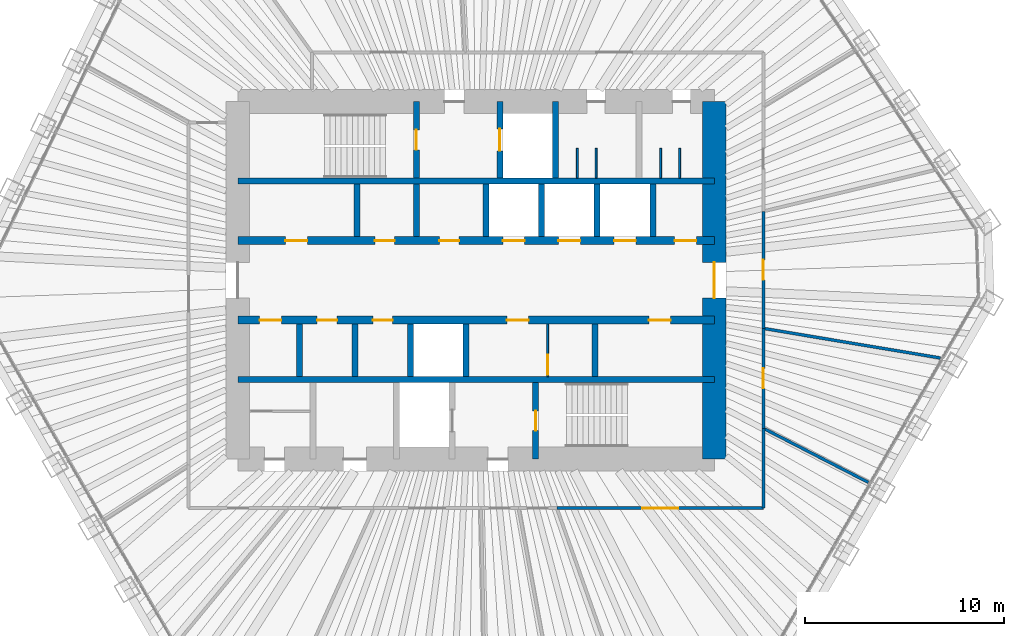
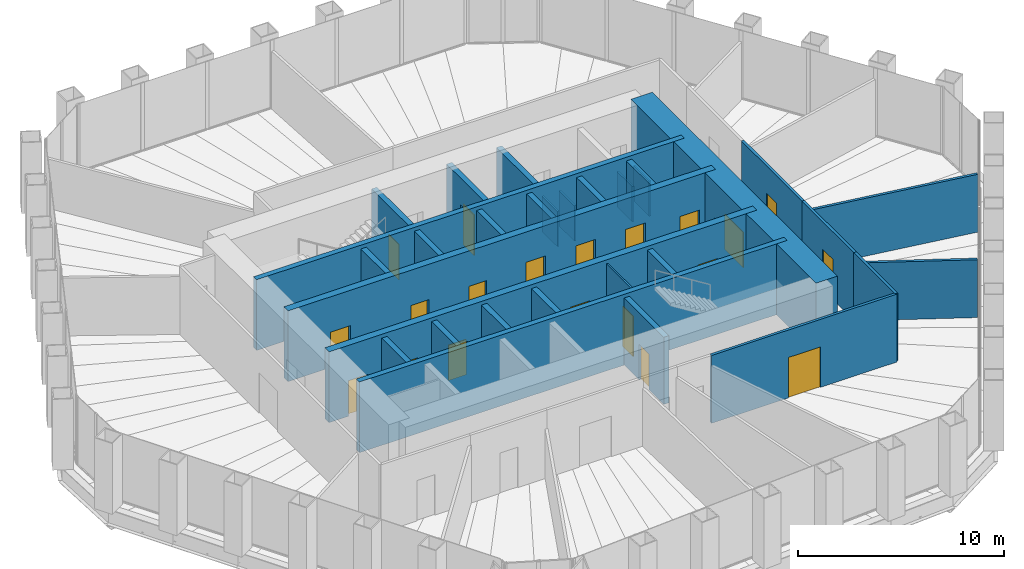
# One storey, part 11 of 13: 31 walls, 20 doors, 20 openings.
"""IFC4 building model written with IfcOpenShell, lengths in metres."""

from ifc_helpers import new_model, si_unit, direction, frame, frame_2d, origin, place, context, subcontext, project, spatial, rectangle, extrude, material, layer, layer_set, type_object, element, fill, save


model = new_model("IFC4")

# Units and contexts
model_context = context("Model", 3, precision=1e-05, world=origin(), true_north=direction((0.0, 1.0)))
body_context = subcontext(model_context, "Body", "Model", "MODEL_VIEW")
ifc_project = project(units=[si_unit("LENGTHUNIT", "METRE"), si_unit("AREAUNIT", "SQUARE_METRE"), si_unit("VOLUMEUNIT", "CUBIC_METRE"), si_unit("PLANEANGLEUNIT", "RADIAN"), si_unit("MASSUNIT", "GRAM", prefix="KILO")], contexts=[model_context])

# Site, building, storey
site_placement = place(None, origin())
site = spatial("IfcSite", under=ifc_project, at=site_placement, CompositionType="ELEMENT")
building_placement = place(site_placement, origin())
building = spatial("IfcBuilding", under=site, at=building_placement, Name="Qingtian Harvest Tower", CompositionType="ELEMENT")
storey_placement = place(building_placement, frame((0.0, 0.0, 222.39990234375)))
storey = spatial("IfcBuildingStorey", under=building, at=storey_placement, Name="L48", CompositionType="ELEMENT", Elevation=222.39990234375)

# Walls
ifc_material_1 = material(Name="Concrete fc' 70 MPa", Category="concrete")
ifc_layer_1 = layer(ifc_material_1, 0.300048828125)
ifc_layer_set_1 = layer_set([ifc_layer_1], Name="Core inner wall RC5 300")
wall_type_1 = type_object("IfcWallType", Name="Core inner wall RC5 300", PredefinedType="SHEAR", material=ifc_layer_set_1)
for number, where, z_axis, x_axis, name in (
    (1, (-12.0, 5.0, 0.0), (0.0, 0.0, 1.0), (1.0, 0.0, 0.0), "Core wall IN5 L48"),
    (2, (-12.0, -5.0, 0.0), (0.0, 0.0, 1.0), (1.0, 0.0, 0.0), "Core wall IS5 L48"),
):
    element("IfcWall", number, at=place(storey_placement, frame(where, z_axis=z_axis, x_axis=x_axis)), inside=storey, type_object=wall_type_1, Name=name, PredefinedType="SHEAR", context=body_context, shape_type="SweptSolid", body=[
        extrude(rectangle(XDim=24.0, YDim=0.300048828125, at=frame_2d((12.0, 0.0))), origin(), (0.0, 0.0, 1.0), 4.2001953125),
    ])

# Wall, openings, doors
ifc_material_2 = material(Name="Concrete fc' 70 MPa", Category="concrete")
ifc_layer_2 = layer(ifc_material_2, 0.39990234375)
ifc_layer_set_2 = layer_set([ifc_layer_2], Name="Core inner web RC6 400")
wall_type_2 = type_object("IfcWallType", Name="Core inner web RC6 400", PredefinedType="SHEAR", material=ifc_layer_set_2)
wall_1_placement = place(storey_placement, frame((-12.0, 2.0, 0.0), z_axis=(0.0, 0.0, 1.0), x_axis=(1.0, 0.0, 0.0)))
wall_1 = element("IfcWall", 3, at=wall_1_placement, inside=storey, type_object=wall_type_2, Name="Core wall IN2 L48", PredefinedType="SHEAR", context=body_context, shape_type="SweptSolid", body=[
    extrude(rectangle(XDim=24.0, YDim=0.39990234375, at=frame_2d((12.0, 0.0))), origin(), (0.0, 0.0, 1.0), 4.2001953125),
])
opening_1_placement = place(wall_1_placement, frame((2.39990234375, 0.0, 0.0)))
opening_1 = element("IfcOpeningElement", 4, at=opening_1_placement, cuts=wall_1, Name="Opening FD4", PredefinedType="OPENING", context=body_context, shape_type="SweptSolid", body=[
    extrude(rectangle(XDim=1.10009765625, YDim=2.10009765625, at=frame_2d((0.550048828125, 1.050048828125))), frame((0.0, 0.2099609375, 0.0), z_axis=(0.0, -1.0, 0.0), x_axis=(1.0, 0.0, 0.0)), (0.0, 0.0, 1.0), 0.419921875),
])
opening_2_placement = place(wall_1_placement, frame((22.0, 0.0, 0.0)))
opening_2 = element("IfcOpeningElement", 5, at=opening_2_placement, cuts=wall_1, Name="Opening FD4", PredefinedType="OPENING", context=body_context, shape_type="SweptSolid", body=[
    extrude(rectangle(XDim=1.10009765625, YDim=2.10009765625, at=frame_2d((0.550048828125, 1.050048828125))), frame((0.0, 0.2099609375, 0.0), z_axis=(0.0, -1.0, 0.0), x_axis=(1.0, 0.0, 0.0)), (0.0, 0.0, 1.0), 0.419921875),
])
opening_3_placement = place(wall_1_placement, frame((10.14990234375, 0.0, 0.0)))
opening_3 = element("IfcOpeningElement", 6, at=opening_3_placement, cuts=wall_1, Name="Opening FD1", PredefinedType="OPENING", context=body_context, shape_type="SweptSolid", body=[
    extrude(rectangle(XDim=1.0, YDim=2.10009765625, at=frame_2d((0.5, 1.050048828125))), frame((0.0, 0.2099609375, 0.0), z_axis=(0.0, -1.0, 0.0), x_axis=(1.0, 0.0, 0.0)), (0.0, 0.0, 1.0), 0.419921875),
])
opening_4_placement = place(wall_1_placement, frame((6.89990234375, 0.0, 0.0)))
opening_4 = element("IfcOpeningElement", 7, at=opening_4_placement, cuts=wall_1, Name="Opening FD1", PredefinedType="OPENING", context=body_context, shape_type="SweptSolid", body=[
    extrude(rectangle(XDim=1.0, YDim=2.10009765625, at=frame_2d((0.5, 1.050048828125))), frame((0.0, 0.2099609375, 0.0), z_axis=(0.0, -1.0, 0.0), x_axis=(1.0, 0.0, 0.0)), (0.0, 0.0, 1.0), 0.419921875),
])
opening_5_placement = place(wall_1_placement, frame((13.35009765625, 0.0, 0.0)))
opening_5 = element("IfcOpeningElement", 8, at=opening_5_placement, cuts=wall_1, Name="Opening LD1", PredefinedType="OPENING", context=body_context, shape_type="SweptSolid", body=[
    extrude(rectangle(XDim=1.10009765625, YDim=2.39990234375, at=frame_2d((0.550048828125, 1.199951171875))), frame((0.0, 0.2099609375, 0.0), z_axis=(0.0, -1.0, 0.0), x_axis=(1.0, 0.0, 0.0)), (0.0, 0.0, 1.0), 0.419921875),
])
opening_6_placement = place(wall_1_placement, frame((16.14990234375, 0.0, 0.0)))
opening_6 = element("IfcOpeningElement", 9, at=opening_6_placement, cuts=wall_1, Name="Opening LD1", PredefinedType="OPENING", context=body_context, shape_type="SweptSolid", body=[
    extrude(rectangle(XDim=1.10009765625, YDim=2.39990234375, at=frame_2d((0.550048828125, 1.199951171875))), frame((0.0, 0.2099609375, 0.0), z_axis=(0.0, -1.0, 0.0), x_axis=(1.0, 0.0, 0.0)), (0.0, 0.0, 1.0), 0.419921875),
])
opening_7_placement = place(wall_1_placement, frame((18.949951171875, 0.0, 0.0)))
opening_7 = element("IfcOpeningElement", 10, at=opening_7_placement, cuts=wall_1, Name="Opening LD1", PredefinedType="OPENING", context=body_context, shape_type="SweptSolid", body=[
    extrude(rectangle(XDim=1.10009765625, YDim=2.39990234375, at=frame_2d((0.550048828125, 1.199951171875))), frame((0.0, 0.2099609375, 0.0), z_axis=(0.0, -1.0, 0.0), x_axis=(1.0, 0.0, 0.0)), (0.0, 0.0, 1.0), 0.419921875),
])
ifc_material_3 = material(Name="Steel-faced door leaf", Category="steel")
door_type_1 = type_object("IfcDoorType", Name="Fire door FD1 single 1 HR", OperationType="SINGLE_SWING_LEFT", PredefinedType="DOOR", material=ifc_material_3)
door_1_placement = place(opening_3_placement, origin())
door_1 = element("IfcDoor", 11, at=door_1_placement, inside=storey, type_object=door_type_1, Name="STA door L48", OperationType="SINGLE_SWING_LEFT", OverallHeight=2.10009765625, OverallWidth=1.0, PredefinedType="DOOR", context=body_context, shape_type="SweptSolid", body=[
    extrude(rectangle(XDim=1.0, YDim=2.10009765625, at=frame_2d((0.5, 1.050048828125))), frame((0.0, 0.02490234375, 0.0), z_axis=(0.0, -1.0, 0.0), x_axis=(1.0, 0.0, 0.0)), (0.0, 0.0, 1.0), 0.050048828125),
])
fill(opening_3, door_1)
door_2_placement = place(opening_4_placement, origin())
door_2 = element("IfcDoor", 12, at=door_2_placement, inside=storey, type_object=door_type_1, Name="IT room door L48", OperationType="SINGLE_SWING_LEFT", OverallHeight=2.10009765625, OverallWidth=1.0, PredefinedType="DOOR", context=body_context, shape_type="SweptSolid", body=[
    extrude(rectangle(XDim=1.0, YDim=2.10009765625, at=frame_2d((0.5, 1.050048828125))), frame((0.0, 0.02490234375, 0.0), z_axis=(0.0, -1.0, 0.0), x_axis=(1.0, 0.0, 0.0)), (0.0, 0.0, 1.0), 0.050048828125),
])
fill(opening_4, door_2)
ifc_material_4 = material(Name="Steel-faced door leaf", Category="steel")
door_type_2 = type_object("IfcDoorType", Name="Fire door FD4 single 2 HR", OperationType="SINGLE_SWING_LEFT", PredefinedType="DOOR", material=ifc_material_4)
door_3_placement = place(opening_1_placement, origin())
door_3 = element("IfcDoor", 13, at=door_3_placement, inside=storey, type_object=door_type_2, Name="RA door L48", OperationType="SINGLE_SWING_LEFT", OverallHeight=2.10009765625, OverallWidth=1.10009765625, PredefinedType="DOOR", context=body_context, shape_type="SweptSolid", body=[
    extrude(rectangle(XDim=1.10009765625, YDim=2.10009765625, at=frame_2d((0.550048828125, 1.050048828125))), frame((0.0, 0.02490234375, 0.0), z_axis=(0.0, -1.0, 0.0), x_axis=(1.0, 0.0, 0.0)), (0.0, 0.0, 1.0), 0.050048828125),
])
fill(opening_1, door_3)
door_4_placement = place(opening_2_placement, origin())
door_4 = element("IfcDoor", 14, at=door_4_placement, inside=storey, type_object=door_type_2, Name="AHU door L48", OperationType="SINGLE_SWING_RIGHT", OverallHeight=2.10009765625, OverallWidth=1.10009765625, PredefinedType="DOOR", context=body_context, shape_type="SweptSolid", body=[
    extrude(rectangle(XDim=1.10009765625, YDim=2.10009765625, at=frame_2d((0.550048828125, 1.050048828125))), frame((0.0, 0.02490234375, 0.0), z_axis=(0.0, -1.0, 0.0), x_axis=(1.0, 0.0, 0.0)), (0.0, 0.0, 1.0), 0.050048828125),
])
fill(opening_2, door_4)
ifc_material_5 = material(Name="Stainless steel lift landing door", Category="steel")
door_type_3 = type_object("IfcDoorType", Name="Lift landing door LD1 1 HR", OperationType="DOUBLE_DOOR_SLIDING", PredefinedType="DOOR", material=ifc_material_5)
door_5_placement = place(opening_5_placement, origin())
door_5 = element("IfcDoor", 15, at=door_5_placement, inside=storey, type_object=door_type_3, Name="PLC1 landing door L48", OperationType="DOUBLE_DOOR_SLIDING", OverallHeight=2.39990234375, OverallWidth=1.10009765625, PredefinedType="DOOR", context=body_context, shape_type="SweptSolid", body=[
    extrude(rectangle(XDim=1.10009765625, YDim=2.39990234375, at=frame_2d((0.550048828125, 1.199951171875))), frame((0.0, 0.02490234375, 0.0), z_axis=(0.0, -1.0, 0.0), x_axis=(1.0, 0.0, 0.0)), (0.0, 0.0, 1.0), 0.050048828125),
])
fill(opening_5, door_5)
door_6_placement = place(opening_6_placement, origin())
door_6 = element("IfcDoor", 16, at=door_6_placement, inside=storey, type_object=door_type_3, Name="PLC2 landing door L48", OperationType="DOUBLE_DOOR_SLIDING", OverallHeight=2.39990234375, OverallWidth=1.10009765625, PredefinedType="DOOR", context=body_context, shape_type="SweptSolid", body=[
    extrude(rectangle(XDim=1.10009765625, YDim=2.39990234375, at=frame_2d((0.550048828125, 1.199951171875))), frame((0.0, 0.02490234375, 0.0), z_axis=(0.0, -1.0, 0.0), x_axis=(1.0, 0.0, 0.0)), (0.0, 0.0, 1.0), 0.050048828125),
])
fill(opening_6, door_6)
door_7_placement = place(opening_7_placement, origin())
door_7 = element("IfcDoor", 17, at=door_7_placement, inside=storey, type_object=door_type_3, Name="PLC3 landing door L48", OperationType="DOUBLE_DOOR_SLIDING", OverallHeight=2.39990234375, OverallWidth=1.10009765625, PredefinedType="DOOR", context=body_context, shape_type="SweptSolid", body=[
    extrude(rectangle(XDim=1.10009765625, YDim=2.39990234375, at=frame_2d((0.550048828125, 1.199951171875))), frame((0.0, 0.02490234375, 0.0), z_axis=(0.0, -1.0, 0.0), x_axis=(1.0, 0.0, 0.0)), (0.0, 0.0, 1.0), 0.050048828125),
])
fill(opening_7, door_7)

wall_2_placement = place(storey_placement, frame((-12.0, -2.0, 0.0), z_axis=(0.0, 0.0, 1.0), x_axis=(1.0, 0.0, 0.0)))
wall_2 = element("IfcWall", 18, at=wall_2_placement, inside=storey, type_object=wall_type_2, Name="Core wall IS2 L48", PredefinedType="SHEAR", context=body_context, shape_type="SweptSolid", body=[
    extrude(rectangle(XDim=24.0, YDim=0.39990234375, at=frame_2d((12.0, 0.0))), origin(), (0.0, 0.0, 1.0), 4.2001953125),
])
opening_8_placement = place(wall_2_placement, frame((1.10009765625, 0.0, 0.0)))
opening_8 = element("IfcOpeningElement", 19, at=opening_8_placement, cuts=wall_2, Name="Opening FD4", PredefinedType="OPENING", context=body_context, shape_type="SweptSolid", body=[
    extrude(rectangle(XDim=1.10009765625, YDim=2.10009765625, at=frame_2d((0.550048828125, 1.050048828125))), frame((0.0, 0.2099609375, 0.0), z_axis=(0.0, -1.0, 0.0), x_axis=(1.0, 0.0, 0.0)), (0.0, 0.0, 1.0), 0.419921875),
])
opening_9_placement = place(wall_2_placement, frame((13.550048828125, 0.0, 0.0)))
opening_9 = element("IfcOpeningElement", 20, at=opening_9_placement, cuts=wall_2, Name="Opening FD4", PredefinedType="OPENING", context=body_context, shape_type="SweptSolid", body=[
    extrude(rectangle(XDim=1.10009765625, YDim=2.10009765625, at=frame_2d((0.550048828125, 1.050048828125))), frame((0.0, 0.2099609375, 0.0), z_axis=(0.0, -1.0, 0.0), x_axis=(1.0, 0.0, 0.0)), (0.0, 0.0, 1.0), 0.419921875),
])
opening_10_placement = place(wall_2_placement, frame((20.699951171875, 0.0, 0.0)))
opening_10 = element("IfcOpeningElement", 21, at=opening_10_placement, cuts=wall_2, Name="Opening FD4", PredefinedType="OPENING", context=body_context, shape_type="SweptSolid", body=[
    extrude(rectangle(XDim=1.10009765625, YDim=2.10009765625, at=frame_2d((0.550048828125, 1.050048828125))), frame((0.0, 0.2099609375, 0.0), z_axis=(0.0, -1.0, 0.0), x_axis=(1.0, 0.0, 0.0)), (0.0, 0.0, 1.0), 0.419921875),
])
opening_11_placement = place(wall_2_placement, frame((4.0, 0.0, 0.0)))
opening_11 = element("IfcOpeningElement", 22, at=opening_11_placement, cuts=wall_2, Name="Opening FD1", PredefinedType="OPENING", context=body_context, shape_type="SweptSolid", body=[
    extrude(rectangle(XDim=1.0, YDim=2.10009765625, at=frame_2d((0.5, 1.050048828125))), frame((0.0, 0.2099609375, 0.0), z_axis=(0.0, -1.0, 0.0), x_axis=(1.0, 0.0, 0.0)), (0.0, 0.0, 1.0), 0.419921875),
])
opening_12_placement = place(wall_2_placement, frame((6.800048828125, 0.0, 0.0)))
opening_12 = element("IfcOpeningElement", 23, at=opening_12_placement, cuts=wall_2, Name="Opening FD1", PredefinedType="OPENING", context=body_context, shape_type="SweptSolid", body=[
    extrude(rectangle(XDim=1.0, YDim=2.10009765625, at=frame_2d((0.5, 1.050048828125))), frame((0.0, 0.2099609375, 0.0), z_axis=(0.0, -1.0, 0.0), x_axis=(1.0, 0.0, 0.0)), (0.0, 0.0, 1.0), 0.419921875),
])
door_8_placement = place(opening_11_placement, origin())
door_8 = element("IfcDoor", 24, at=door_8_placement, inside=storey, type_object=door_type_1, Name="Staff WC door L48", OperationType="SINGLE_SWING_RIGHT", OverallHeight=2.10009765625, OverallWidth=1.0, PredefinedType="DOOR", context=body_context, shape_type="SweptSolid", body=[
    extrude(rectangle(XDim=1.0, YDim=2.10009765625, at=frame_2d((0.5, 1.050048828125))), frame((0.0, 0.02490234375, 0.0), z_axis=(0.0, -1.0, 0.0), x_axis=(1.0, 0.0, 0.0)), (0.0, 0.0, 1.0), 0.050048828125),
])
fill(opening_11, door_8)
door_9_placement = place(opening_12_placement, origin())
door_9 = element("IfcDoor", 25, at=door_9_placement, inside=storey, type_object=door_type_1, Name="Tea point door L48", OperationType="SINGLE_SWING_RIGHT", OverallHeight=2.10009765625, OverallWidth=1.0, PredefinedType="DOOR", context=body_context, shape_type="SweptSolid", body=[
    extrude(rectangle(XDim=1.0, YDim=2.10009765625, at=frame_2d((0.5, 1.050048828125))), frame((0.0, 0.02490234375, 0.0), z_axis=(0.0, -1.0, 0.0), x_axis=(1.0, 0.0, 0.0)), (0.0, 0.0, 1.0), 0.050048828125),
])
fill(opening_12, door_9)
door_10_placement = place(opening_8_placement, origin())
door_10 = element("IfcDoor", 26, at=door_10_placement, inside=storey, type_object=door_type_2, Name="RB door L48", OperationType="SINGLE_SWING_RIGHT", OverallHeight=2.10009765625, OverallWidth=1.10009765625, PredefinedType="DOOR", context=body_context, shape_type="SweptSolid", body=[
    extrude(rectangle(XDim=1.10009765625, YDim=2.10009765625, at=frame_2d((0.550048828125, 1.050048828125))), frame((0.0, 0.02490234375, 0.0), z_axis=(0.0, -1.0, 0.0), x_axis=(1.0, 0.0, 0.0)), (0.0, 0.0, 1.0), 0.050048828125),
])
fill(opening_8, door_10)
door_11_placement = place(opening_9_placement, origin())
door_11 = element("IfcDoor", 27, at=door_11_placement, inside=storey, type_object=door_type_2, Name="ELEC door L48", OperationType="SINGLE_SWING_LEFT", OverallHeight=2.10009765625, OverallWidth=1.10009765625, PredefinedType="DOOR", context=body_context, shape_type="SweptSolid", body=[
    extrude(rectangle(XDim=1.10009765625, YDim=2.10009765625, at=frame_2d((0.550048828125, 1.050048828125))), frame((0.0, 0.02490234375, 0.0), z_axis=(0.0, -1.0, 0.0), x_axis=(1.0, 0.0, 0.0)), (0.0, 0.0, 1.0), 0.050048828125),
])
fill(opening_9, door_11)
door_12_placement = place(opening_10_placement, origin())
door_12 = element("IfcDoor", 28, at=door_12_placement, inside=storey, type_object=door_type_2, Name="DUCT door L48", OperationType="SINGLE_SWING_LEFT", OverallHeight=2.10009765625, OverallWidth=1.10009765625, PredefinedType="DOOR", context=body_context, shape_type="SweptSolid", body=[
    extrude(rectangle(XDim=1.10009765625, YDim=2.10009765625, at=frame_2d((0.550048828125, 1.050048828125))), frame((0.0, 0.02490234375, 0.0), z_axis=(0.0, -1.0, 0.0), x_axis=(1.0, 0.0, 0.0)), (0.0, 0.0, 1.0), 0.050048828125),
])
fill(opening_10, door_12)

# Wall, opening, door
ifc_material_6 = material(Name="Precast concrete shaft panel", Category="concrete")
ifc_layer_3 = layer(ifc_material_6, 0.300048828125)
ifc_layer_set_3 = layer_set([ifc_layer_3], Name="Core shaft partition SW1 300")
wall_type_3 = type_object("IfcWallType", Name="Core shaft partition SW1 300", PredefinedType="PARTITIONING", material=ifc_layer_set_3)
wall_3_placement = place(storey_placement, frame((-3.0, 5.14990234375, 0.0), z_axis=(0.0, 0.0, 1.0), x_axis=(0.0, 1.0, 0.0)))
wall_3 = element("IfcWall", 29, at=wall_3_placement, inside=storey, type_object=wall_type_3, Name="Core shaft partition XN1 L48", PredefinedType="PARTITIONING", context=body_context, shape_type="SweptSolid", body=[
    extrude(rectangle(XDim=3.85009765625, YDim=0.300048828125, at=frame_2d((1.925048828125, 0.0))), origin(), (0.0, 0.0, 1.0), 3.97998046875),
])
opening_13_placement = place(wall_3_placement, frame((1.425048828125, 0.0, 0.0)))
opening_13 = element("IfcOpeningElement", 30, at=opening_13_placement, cuts=wall_3, Name="Opening FD1", PredefinedType="OPENING", context=body_context, shape_type="SweptSolid", body=[
    extrude(rectangle(XDim=1.0, YDim=2.10009765625, at=frame_2d((0.5, 1.050048828125))), frame((0.0, 0.159912109375, 0.0), z_axis=(0.0, -1.0, 0.0), x_axis=(1.0, 0.0, 0.0)), (0.0, 0.0, 1.0), 0.320068359375),
])
door_13_placement = place(opening_13_placement, origin())
door_13 = element("IfcDoor", 31, at=door_13_placement, inside=storey, type_object=door_type_1, Name="S1 door L48", OperationType="SINGLE_SWING_RIGHT", OverallHeight=2.10009765625, OverallWidth=1.0, PredefinedType="DOOR", context=body_context, shape_type="SweptSolid", body=[
    extrude(rectangle(XDim=1.0, YDim=2.10009765625, at=frame_2d((0.5, 1.050048828125))), frame((0.0, 0.02490234375, 0.0), z_axis=(0.0, -1.0, 0.0), x_axis=(1.0, 0.0, 0.0)), (0.0, 0.0, 1.0), 0.050048828125),
])
fill(opening_13, door_13)

wall_4_placement = place(storey_placement, frame((1.199951171875, 5.14990234375, 0.0), z_axis=(0.0, 0.0, 1.0), x_axis=(0.0, 1.0, 0.0)))
wall_4 = element("IfcWall", 32, at=wall_4_placement, inside=storey, type_object=wall_type_3, Name="Core shaft partition XN2 L48", PredefinedType="PARTITIONING", context=body_context, shape_type="SweptSolid", body=[
    extrude(rectangle(XDim=3.85009765625, YDim=0.300048828125, at=frame_2d((1.925048828125, 0.0))), origin(), (0.0, 0.0, 1.0), 3.97998046875),
])
opening_14_placement = place(wall_4_placement, frame((1.375, 0.0, 0.0)))
opening_14 = element("IfcOpeningElement", 33, at=opening_14_placement, cuts=wall_4, Name="Opening LD1", PredefinedType="OPENING", context=body_context, shape_type="SweptSolid", body=[
    extrude(rectangle(XDim=1.10009765625, YDim=2.39990234375, at=frame_2d((0.550048828125, 1.199951171875))), frame((0.0, 0.159912109375, 0.0), z_axis=(0.0, -1.0, 0.0), x_axis=(1.0, 0.0, 0.0)), (0.0, 0.0, 1.0), 0.320068359375),
])
door_14_placement = place(opening_14_placement, origin())
door_14 = element("IfcDoor", 34, at=door_14_placement, inside=storey, type_object=door_type_3, Name="FL1 landing door L48", OperationType="DOUBLE_DOOR_SLIDING", OverallHeight=2.39990234375, OverallWidth=1.10009765625, PredefinedType="DOOR", context=body_context, shape_type="SweptSolid", body=[
    extrude(rectangle(XDim=1.10009765625, YDim=2.39990234375, at=frame_2d((0.550048828125, 1.199951171875))), frame((0.0, 0.02490234375, 0.0), z_axis=(0.0, -1.0, 0.0), x_axis=(1.0, 0.0, 0.0)), (0.0, 0.0, 1.0), 0.050048828125),
])
fill(opening_14, door_14)

# Walls
wall_5_placement = place(storey_placement, frame((4.0, 5.14990234375, 0.0), z_axis=(0.0, 0.0, 1.0), x_axis=(0.0, 1.0, 0.0)))
element("IfcWall", 35, at=wall_5_placement, inside=storey, type_object=wall_type_3, Name="Core shaft partition XN3 L48", PredefinedType="PARTITIONING", context=body_context, shape_type="SweptSolid", body=[
    extrude(rectangle(XDim=3.85009765625, YDim=0.300048828125, at=frame_2d((1.925048828125, 0.0))), origin(), (0.0, 0.0, 1.0), 3.97998046875),
])
for number, where, z_axis, x_axis, name in (
    (36, (-6.0, 2.199951171875, 0.0), (0.0, 0.0, 1.0), (0.0, 1.0, 0.0), "Core shaft partition XA1 L48"),
    (37, (-3.0, 2.199951171875, 0.0), (0.0, 0.0, 1.0), (0.0, 1.0, 0.0), "Core shaft partition XA2 L48"),
    (38, (0.5, 2.199951171875, 0.0), (0.0, 0.0, 1.0), (0.0, 1.0, 0.0), "Core shaft partition XA3 L48"),
    (39, (3.300048828125, 2.199951171875, 0.0), (0.0, 0.0, 1.0), (0.0, 1.0, 0.0), "Core shaft partition XA4 L48"),
    (40, (6.10009765625, 2.199951171875, 0.0), (0.0, 0.0, 1.0), (0.0, 1.0, 0.0), "Core shaft partition XA5 L48"),
    (41, (8.89990234375, 2.199951171875, 0.0), (0.0, 0.0, 1.0), (0.0, 1.0, 0.0), "Core shaft partition XA6 L48"),
    (42, (-8.89990234375, -4.85009765625, 0.0), (0.0, 0.0, 1.0), (0.0, 1.0, 0.0), "Core shaft partition XB1 L48"),
    (43, (-6.10009765625, -4.85009765625, 0.0), (0.0, 0.0, 1.0), (0.0, 1.0, 0.0), "Core shaft partition XB2 L48"),
    (44, (-3.300048828125, -4.85009765625, 0.0), (0.0, 0.0, 1.0), (0.0, 1.0, 0.0), "Core shaft partition XB3 L48"),
    (45, (-0.5, -4.85009765625, 0.0), (0.0, 0.0, 1.0), (0.0, 1.0, 0.0), "Core shaft partition XB4 L48"),
    (46, (6.0, -4.85009765625, 0.0), (0.0, 0.0, 1.0), (0.0, 1.0, 0.0), "Core shaft partition XB5 L48"),
):
    element("IfcWall", number, at=place(storey_placement, frame(where, z_axis=z_axis, x_axis=x_axis)), inside=storey, type_object=wall_type_3, Name=name, PredefinedType="PARTITIONING", context=body_context, shape_type="SweptSolid", body=[
        extrude(rectangle(XDim=2.650146484375, YDim=0.300048828125, at=frame_2d((1.3251953125, 0.0))), origin(), (0.0, 0.0, 1.0), 3.97998046875),
    ])

# Wall, opening, door
wall_6_placement = place(storey_placement, frame((3.0, -9.0, 0.0), z_axis=(0.0, 0.0, 1.0), x_axis=(0.0, 1.0, 0.0)))
wall_6 = element("IfcWall", 47, at=wall_6_placement, inside=storey, type_object=wall_type_3, Name="Core shaft partition XS4 L48", PredefinedType="PARTITIONING", context=body_context, shape_type="SweptSolid", body=[
    extrude(rectangle(XDim=3.85009765625, YDim=0.300048828125, at=frame_2d((1.925048828125, 0.0))), origin(), (0.0, 0.0, 1.0), 3.97998046875),
])
opening_15_placement = place(wall_6_placement, frame((1.425048828125, 0.0, 0.0)))
opening_15 = element("IfcOpeningElement", 48, at=opening_15_placement, cuts=wall_6, Name="Opening FD1", PredefinedType="OPENING", context=body_context, shape_type="SweptSolid", body=[
    extrude(rectangle(XDim=1.0, YDim=2.10009765625, at=frame_2d((0.5, 1.050048828125))), frame((0.0, 0.159912109375, 0.0), z_axis=(0.0, -1.0, 0.0), x_axis=(1.0, 0.0, 0.0)), (0.0, 0.0, 1.0), 0.320068359375),
])
door_15_placement = place(opening_15_placement, origin())
door_15 = element("IfcDoor", 49, at=door_15_placement, inside=storey, type_object=door_type_1, Name="S2 door L48", OperationType="SINGLE_SWING_RIGHT", OverallHeight=2.10009765625, OverallWidth=1.0, PredefinedType="DOOR", context=body_context, shape_type="SweptSolid", body=[
    extrude(rectangle(XDim=1.0, YDim=2.10009765625, at=frame_2d((0.5, 1.050048828125))), frame((0.0, 0.02490234375, 0.0), z_axis=(0.0, -1.0, 0.0), x_axis=(1.0, 0.0, 0.0)), (0.0, 0.0, 1.0), 0.050048828125),
])
fill(opening_15, door_15)

ifc_material_7 = material(Name="Concrete fc' 70 MPa", Category="concrete")
ifc_layer_4 = layer(ifc_material_7, 1.199951171875)
ifc_layer_set_4 = layer_set([ifc_layer_4], Name="Core wall RC2 1200")
wall_type_4 = type_object("IfcWallType", Name="Core wall RC2 1200", PredefinedType="SHEAR", material=ifc_layer_set_4)
wall_7_placement = place(storey_placement, frame((12.0, -9.0, 0.0), z_axis=(0.0, 0.0, 1.0), x_axis=(0.0, 1.0, 0.0)))
wall_7 = element("IfcWall", 50, at=wall_7_placement, inside=storey, type_object=wall_type_4, Name="Core wall CE L48", PredefinedType="SHEAR", context=body_context, shape_type="SweptSolid", body=[
    extrude(rectangle(XDim=18.0, YDim=1.199951171875, at=frame_2d((9.0, 0.0))), origin(), (0.0, 0.0, 1.0), 4.2001953125),
])
opening_16_placement = place(wall_7_placement, frame((8.10009765625, 0.0, 0.0)))
opening_16 = element("IfcOpeningElement", 51, at=opening_16_placement, cuts=wall_7, Name="Opening FD2", PredefinedType="OPENING", context=body_context, shape_type="SweptSolid", body=[
    extrude(rectangle(XDim=1.800048828125, YDim=2.10009765625, at=frame_2d((0.89990234375, 1.050048828125))), frame((0.0, 0.60986328125, 0.0), z_axis=(0.0, -1.0, 0.0), x_axis=(1.0, 0.0, 0.0)), (0.0, 0.0, 1.0), 1.219970703125),
])
ifc_material_8 = material(Name="Steel-faced door leaf", Category="steel")
door_type_4 = type_object("IfcDoorType", Name="Fire door FD2 double 1 HR", OperationType="DOUBLE_DOOR_DOUBLE_SWING", PredefinedType="DOOR", material=ifc_material_8)
door_16_placement = place(opening_16_placement, origin())
door_16 = element("IfcDoor", 52, at=door_16_placement, inside=storey, type_object=door_type_4, Name="LOBBY-E door L48", OperationType="DOUBLE_DOOR_DOUBLE_SWING", OverallHeight=2.10009765625, OverallWidth=1.800048828125, PredefinedType="DOOR", context=body_context, shape_type="SweptSolid", body=[
    extrude(rectangle(XDim=1.800048828125, YDim=2.10009765625, at=frame_2d((0.89990234375, 1.050048828125))), frame((0.0, 0.02490234375, 0.0), z_axis=(0.0, -1.0, 0.0), x_axis=(1.0, 0.0, 0.0)), (0.0, 0.0, 1.0), 0.050048828125),
])
fill(opening_16, door_16)

ifc_material_9 = material(Name="Gypsum board on steel studs", Category="steel")
ifc_layer_5 = layer(ifc_material_9, 0.14990234375)
ifc_layer_set_5 = layer_set([ifc_layer_5], Name="Partition PT1 150")
wall_type_5 = type_object("IfcWallType", Name="Partition PT1 150", PredefinedType="PARTITIONING", material=ifc_layer_set_5)
wall_8_placement = place(storey_placement, frame((14.47509765625, 3.474609375, 0.0), z_axis=(0.0, 0.0, 1.0), x_axis=(0.0, -1.0, 0.0)))
wall_8 = element("IfcWall", 53, at=wall_8_placement, inside=storey, type_object=wall_type_5, Name="Private office wall L48", PredefinedType="PARTITIONING", context=body_context, shape_type="SweptSolid", body=[
    extrude(rectangle(XDim=5.896484375, YDim=0.14990234375, at=frame_2d((2.9482421875, 0.0))), origin(), (0.0, 0.0, 1.0), 4.030029296875),
])
opening_17_placement = place(wall_8_placement, frame((2.4482421875, 0.0, 0.0)))
opening_17 = element("IfcOpeningElement", 54, at=opening_17_placement, cuts=wall_8, Name="Opening D2", PredefinedType="OPENING", context=body_context, shape_type="SweptSolid", body=[
    extrude(rectangle(XDim=1.0, YDim=2.39990234375, at=frame_2d((0.5, 1.199951171875))), frame((0.0, 0.0849609375, 0.0), z_axis=(0.0, -1.0, 0.0), x_axis=(1.0, 0.0, 0.0)), (0.0, 0.0, 1.0), 0.169921875),
])
ifc_material_10 = material(Name="Laminated timber door leaf", Category="wood")
door_type_5 = type_object("IfcDoorType", Name="Room door D2 single", OperationType="SINGLE_SWING_LEFT", PredefinedType="DOOR", material=ifc_material_10)
door_17_placement = place(opening_17_placement, origin())
door_17 = element("IfcDoor", 55, at=door_17_placement, inside=storey, type_object=door_type_5, Name="Private office door L48", OperationType="SINGLE_SWING_LEFT", OverallHeight=2.39990234375, OverallWidth=1.0, PredefinedType="DOOR", context=body_context, shape_type="SweptSolid", body=[
    extrude(rectangle(XDim=1.0, YDim=2.39990234375, at=frame_2d((0.5, 1.199951171875))), frame((0.0, 0.02490234375, 0.0), z_axis=(0.0, -1.0, 0.0), x_axis=(1.0, 0.0, 0.0)), (0.0, 0.0, 1.0), 0.050048828125),
])
fill(opening_17, door_17)

# Wall
wall_9_placement = place(storey_placement, frame((23.383056640625, -3.912109375, 0.0), z_axis=(0.0, 0.0, 1.0), x_axis=(-0.986293651891, 0.164999491631, 0.0)))
element("IfcWall", 56, at=wall_9_placement, inside=storey, type_object=wall_type_5, Name="Private office wall L48", PredefinedType="PARTITIONING", context=body_context, shape_type="SweptSolid", body=[
    extrude(rectangle(XDim=9.03173828125, YDim=0.14990234375, at=frame_2d((4.515869140625, 0.0))), origin(), (0.0, 0.0, 1.0), 3.43017578125),
])

# Wall, opening, door
wall_10_placement = place(storey_placement, frame((14.47509765625, -2.421875, 0.0), z_axis=(0.0, 0.0, 1.0), x_axis=(0.0, -1.0, 0.0)))
wall_10 = element("IfcWall", 57, at=wall_10_placement, inside=storey, type_object=wall_type_5, Name="Private office wall L48", PredefinedType="PARTITIONING", context=body_context, shape_type="SweptSolid", body=[
    extrude(rectangle(XDim=5.033203125, YDim=0.14990234375, at=frame_2d((2.5166015625, 0.0))), origin(), (0.0, 0.0, 1.0), 4.030029296875),
])
opening_18_placement = place(wall_10_placement, frame((2.0166015625, 0.0, 0.0)))
opening_18 = element("IfcOpeningElement", 58, at=opening_18_placement, cuts=wall_10, Name="Opening D2", PredefinedType="OPENING", context=body_context, shape_type="SweptSolid", body=[
    extrude(rectangle(XDim=1.0, YDim=2.39990234375, at=frame_2d((0.5, 1.199951171875))), frame((0.0, 0.0849609375, 0.0), z_axis=(0.0, -1.0, 0.0), x_axis=(1.0, 0.0, 0.0)), (0.0, 0.0, 1.0), 0.169921875),
])
door_18_placement = place(opening_18_placement, origin())
door_18 = element("IfcDoor", 59, at=door_18_placement, inside=storey, type_object=door_type_5, Name="Private office door L48", OperationType="SINGLE_SWING_LEFT", OverallHeight=2.39990234375, OverallWidth=1.0, PredefinedType="DOOR", context=body_context, shape_type="SweptSolid", body=[
    extrude(rectangle(XDim=1.0, YDim=2.39990234375, at=frame_2d((0.5, 1.199951171875))), frame((0.0, 0.02490234375, 0.0), z_axis=(0.0, -1.0, 0.0), x_axis=(1.0, 0.0, 0.0)), (0.0, 0.0, 1.0), 0.050048828125),
])
fill(opening_18, door_18)

# Walls
wall_11_placement = place(storey_placement, frame((19.759033203125, -10.176513671875, 0.0), z_axis=(0.0, 0.0, 1.0), x_axis=(-0.889015092721, 0.457877893017, 0.0)))
element("IfcWall", 60, at=wall_11_placement, inside=storey, type_object=wall_type_5, Name="Office suite wall L48", PredefinedType="PARTITIONING", context=body_context, shape_type="SweptSolid", body=[
    extrude(rectangle(XDim=5.943603515625, YDim=0.14990234375, at=frame_2d((2.9716796875, 0.0))), origin(), (0.0, 0.0, 1.0), 3.43017578125),
])
wall_12_placement = place(storey_placement, frame((14.47509765625, -7.455078125, 0.0), z_axis=(0.0, 0.0, 1.0), x_axis=(0.0, -1.0, 0.0)))
element("IfcWall", 61, at=wall_12_placement, inside=storey, type_object=wall_type_5, Name="Office suite wall L48", PredefinedType="PARTITIONING", context=body_context, shape_type="SweptSolid", body=[
    extrude(rectangle(XDim=4.02001953125, YDim=0.14990234375, at=frame_2d((2.010009765625, 0.0))), origin(), (0.0, 0.0, 1.0), 4.030029296875),
])

# Wall, opening, door
wall_13_placement = place(storey_placement, frame((14.47509765625, -11.47509765625, 0.0), z_axis=(0.0, 0.0, 1.0), x_axis=(-1.0, 0.0, 0.0)))
wall_13 = element("IfcWall", 62, at=wall_13_placement, inside=storey, type_object=wall_type_5, Name="Office suite wall L48", PredefinedType="PARTITIONING", context=body_context, shape_type="SweptSolid", body=[
    extrude(rectangle(XDim=10.405517578125, YDim=0.14990234375, at=frame_2d((5.20263671875, 0.0))), origin(), (0.0, 0.0, 1.0), 4.030029296875),
])
opening_19_placement = place(wall_13_placement, frame((4.302734375, 0.0, 0.0)))
opening_19 = element("IfcOpeningElement", 63, at=opening_19_placement, cuts=wall_13, Name="Opening D3", PredefinedType="OPENING", context=body_context, shape_type="SweptSolid", body=[
    extrude(rectangle(XDim=1.800048828125, YDim=2.39990234375, at=frame_2d((0.89990234375, 1.199951171875))), frame((0.0, 0.0849609375, 0.0), z_axis=(0.0, -1.0, 0.0), x_axis=(1.0, 0.0, 0.0)), (0.0, 0.0, 1.0), 0.169921875),
])
ifc_material_11 = material(Name="Laminated timber door leaf", Category="wood")
door_type_6 = type_object("IfcDoorType", Name="Room door D3 double", OperationType="DOUBLE_DOOR_DOUBLE_SWING", PredefinedType="DOOR", material=ifc_material_11)
door_19_placement = place(opening_19_placement, origin())
door_19 = element("IfcDoor", 64, at=door_19_placement, inside=storey, type_object=door_type_6, Name="Office suite door L48", OperationType="DOUBLE_DOOR_DOUBLE_SWING", OverallHeight=2.39990234375, OverallWidth=1.800048828125, PredefinedType="DOOR", context=body_context, shape_type="SweptSolid", body=[
    extrude(rectangle(XDim=1.800048828125, YDim=2.39990234375, at=frame_2d((0.89990234375, 1.199951171875))), frame((0.0, 0.02490234375, 0.0), z_axis=(0.0, -1.0, 0.0), x_axis=(1.0, 0.0, 0.0)), (0.0, 0.0, 1.0), 0.050048828125),
])
fill(opening_19, door_19)

ifc_material_12 = material(Name="Concrete block partition", Category="concrete")
ifc_layer_6 = layer(ifc_material_12, 0.10009765625)
ifc_layer_set_6 = layer_set([ifc_layer_6], Name="Store partition PT3 100")
wall_type_6 = type_object("IfcWallType", Name="Store partition PT3 100", PredefinedType="PARTITIONING", material=ifc_layer_set_6)
wall_14_placement = place(storey_placement, frame((3.60009765625, -4.85009765625, 0.0), z_axis=(0.0, 0.0, 1.0), x_axis=(0.0, 1.0, 0.0)))
wall_14 = element("IfcWall", 65, at=wall_14_placement, inside=storey, type_object=wall_type_6, Name="Comms room wall L48", PredefinedType="PARTITIONING", context=body_context, shape_type="SweptSolid", body=[
    extrude(rectangle(XDim=2.650146484375, YDim=0.10009765625, at=frame_2d((1.3251953125, 0.0))), origin(), (0.0, 0.0, 1.0), 3.97998046875),
])
opening_20_placement = place(wall_14_placement, frame((0.10009765625, 0.0, 0.0)))
opening_20 = element("IfcOpeningElement", 66, at=opening_20_placement, cuts=wall_14, Name="Opening D2", PredefinedType="OPENING", context=body_context, shape_type="SweptSolid", body=[
    extrude(rectangle(XDim=1.0, YDim=2.39990234375, at=frame_2d((0.5, 1.199951171875))), frame((0.0, 0.06005859375, 0.0), z_axis=(0.0, -1.0, 0.0), x_axis=(1.0, 0.0, 0.0)), (0.0, 0.0, 1.0), 0.1201171875),
])
door_20_placement = place(opening_20_placement, origin())
door_20 = element("IfcDoor", 67, at=door_20_placement, inside=storey, type_object=door_type_5, Name="Comms room door L48", OperationType="SINGLE_SWING_LEFT", OverallHeight=2.39990234375, OverallWidth=1.0, PredefinedType="DOOR", context=body_context, shape_type="SweptSolid", body=[
    extrude(rectangle(XDim=1.0, YDim=2.39990234375, at=frame_2d((0.5, 1.199951171875))), frame((0.0, 0.02490234375, 0.0), z_axis=(0.0, -1.0, 0.0), x_axis=(1.0, 0.0, 0.0)), (0.0, 0.0, 1.0), 0.050048828125),
])
fill(opening_20, door_20)

# Walls
ifc_material_13 = material(Name="Compact laminate cubicle partition", Category="plastic")
ifc_layer_7 = layer(ifc_material_13, 0.10009765625)
ifc_layer_set_7 = layer_set([ifc_layer_7], Name="WC cubicle partition WP1 100")
wall_type_7 = type_object("IfcWallType", Name="WC cubicle partition WP1 100", PredefinedType="PARTITIONING", material=ifc_layer_set_7)
for number, where, z_axis, x_axis, name in (
    (68, (5.10009765625, 5.14990234375, 0.0), (0.0, 0.0, 1.0), (0.0, 1.0, 0.0), "WC cubicle partition WCM L48"),
    (69, (6.050048828125, 5.14990234375, 0.0), (0.0, 0.0, 1.0), (0.0, 1.0, 0.0), "WC cubicle partition WCM L48"),
    (70, (9.300048828125, 5.14990234375, 0.0), (0.0, 0.0, 1.0), (0.0, 1.0, 0.0), "WC cubicle partition WCF L48"),
    (71, (10.25, 5.14990234375, 0.0), (0.0, 0.0, 1.0), (0.0, 1.0, 0.0), "WC cubicle partition WCF L48"),
):
    element("IfcWall", number, at=place(storey_placement, frame(where, z_axis=z_axis, x_axis=x_axis)), inside=storey, type_object=wall_type_7, Name=name, PredefinedType="PARTITIONING", context=body_context, shape_type="SweptSolid", body=[
        extrude(rectangle(XDim=1.5, YDim=0.10009765625, at=frame_2d((0.75, 0.0))), origin(), (0.0, 0.0, 1.0), 2.10009765625),
    ])

save(model, "model.ifc")
